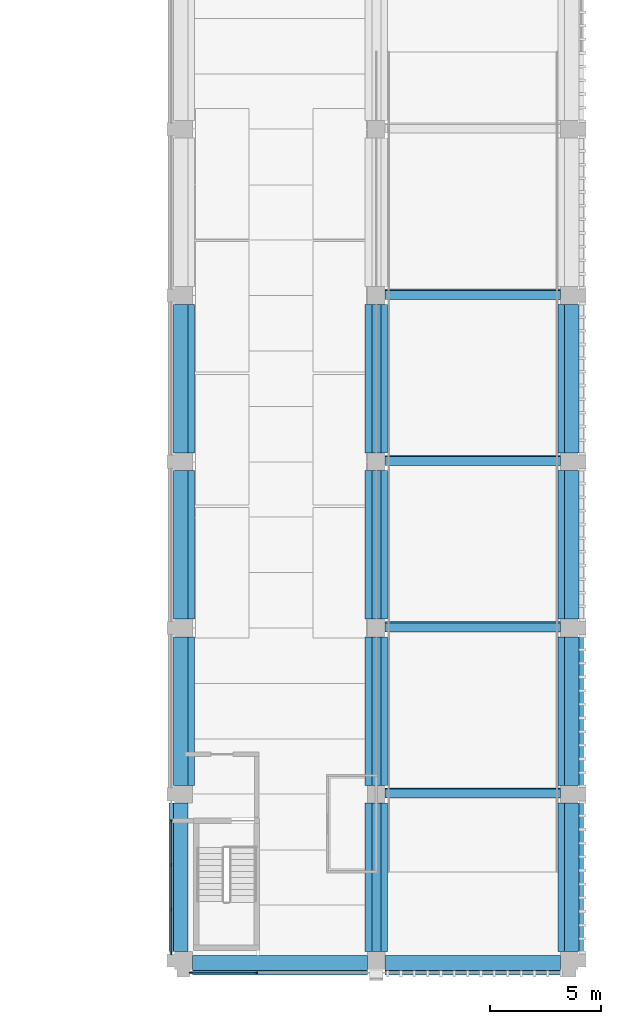
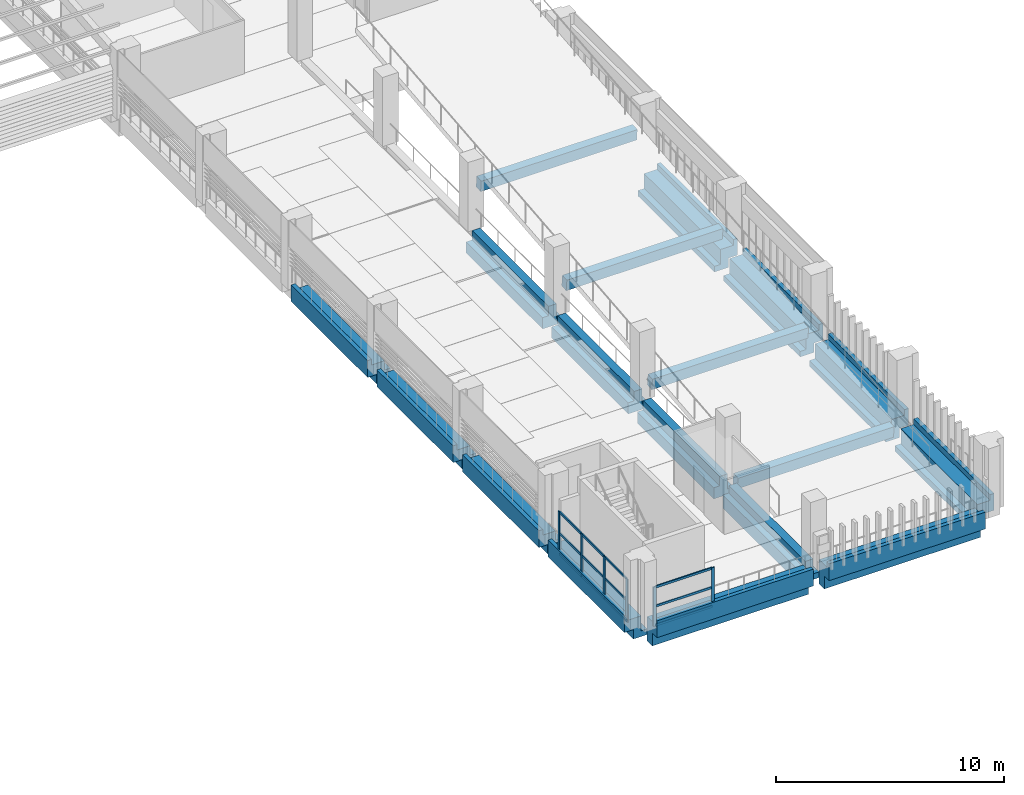
# One storey, part 13 of 52: 18 beams, 18 members, 2 elements without a shape of their own.
"""IFC4 building model written with IfcOpenShell, lengths in metres."""

from ifc_helpers import new_model, si_unit, direction, frame, origin, origin_2d, place, context, subcontext, project, spatial, polyline, rectangle, outline, extrude, material, layer, layer_set, material_profile, profile_set, type_object, element, aggregate, save


model = new_model("IFC4")

# Units and contexts
model_context = context("Model", 3, precision=1e-05, world=origin(), true_north=direction((0.0, 1.0)))
body_context = subcontext(model_context, "Body", "Model", "MODEL_VIEW")
ifc_project = project(units=[si_unit("LENGTHUNIT", "METRE"), si_unit("AREAUNIT", "SQUARE_METRE"), si_unit("VOLUMEUNIT", "CUBIC_METRE"), si_unit("PLANEANGLEUNIT", "RADIAN"), si_unit("MASSUNIT", "GRAM", prefix="KILO")], contexts=[model_context])

# Site, building, storey
site_placement = place(None, origin())
site = spatial("IfcSite", under=ifc_project, at=site_placement, CompositionType="ELEMENT")
building_placement = place(site_placement, origin())
building = spatial("IfcBuilding", under=site, at=building_placement, Name="Cour d'Honneur Mobility Palace", CompositionType="ELEMENT")
storey_placement = place(building_placement, frame((0.0, 0.0, 23.0)))
storey = spatial("IfcBuildingStorey", under=building, at=storey_placement, Name="L06", CompositionType="ELEMENT", Elevation=23.0)

# Curtain wall, members
ifc_material_1 = material(Name="Aluminium and glass", Category="aluminium")
ifc_layer = layer(ifc_material_1, 0.10009765625)
ifc_layer_set = layer_set([ifc_layer], Name="Aluminium and glass")
curtain_wall_type = type_object("IfcCurtainWallType", Name="Curtain wall run", PredefinedType="NOTDEFINED", material=ifc_layer_set)
curtain_wall_1_placement = place(storey_placement, origin())
curtain_wall_1 = element("IfcCurtainWall", 1, at=curtain_wall_1_placement, inside=storey, type_object=curtain_wall_type, Name="Curtain wall CW-145", PredefinedType="NOTDEFINED")
ifc_material_2 = material(Name="Aluminium", Category="aluminium")
ifc_material_profile_1 = material_profile(ifc_material_2, rectangle(XDim=0.06005859375, YDim=0.159912109375, at=origin_2d()), Name="Curtain wall mullion")
ifc_profile_set_1 = profile_set([ifc_material_profile_1], Name="Aluminium")
member_type_1 = type_object("IfcMemberType", Name="Curtain wall mullion", PredefinedType="MULLION", material=ifc_profile_set_1)
member_1_placement = place(storey_placement, frame((145.22998046875, -0.550048828125, 0.0), z_axis=(0.0, 0.0, 1.0), x_axis=(0.0, 1.0, 0.0)))
member_1 = element("IfcMember", 2, at=member_1_placement, type_object=member_type_1, Name="CW-145 mullion 1", PredefinedType="MULLION", context=body_context, shape_type="SweptSolid", body=[
    extrude(rectangle(XDim=0.06005859375, YDim=0.159912109375, at=origin_2d()), origin(), (0.0, 0.0, 1.0), 2.10009765625),
])
member_2_placement = place(storey_placement, frame((148.169921875, -0.550048828125, 0.0), z_axis=(0.0, 0.0, 1.0), x_axis=(0.0, 1.0, 0.0)))
member_2 = element("IfcMember", 3, at=member_2_placement, type_object=member_type_1, Name="CW-145 mullion 2", PredefinedType="MULLION", context=body_context, shape_type="SweptSolid", body=[
    extrude(rectangle(XDim=0.06005859375, YDim=0.159912109375, at=origin_2d()), origin(), (0.0, 0.0, 1.0), 2.10009765625),
])

curtain_wall_2_placement = place(storey_placement, origin())
curtain_wall_2 = element("IfcCurtainWall", 4, at=curtain_wall_2_placement, inside=storey, type_object=curtain_wall_type, Name="Curtain wall CW-146", PredefinedType="NOTDEFINED")
member_3_placement = place(storey_placement, frame((144.35009765625, 6.27001953125, 0.0), z_axis=(0.0, 0.0, 1.0), x_axis=(1.0, 0.0, 0.0)))
member_3 = element("IfcMember", 5, at=member_3_placement, type_object=member_type_1, Name="CW-146 mullion 1", PredefinedType="MULLION", context=body_context, shape_type="SweptSolid", body=[
    extrude(rectangle(XDim=0.06005859375, YDim=0.159912109375, at=origin_2d()), origin(), (0.0, 0.0, 1.0), 2.300048828125),
])
member_4_placement = place(storey_placement, frame((144.35009765625, 4.300048828125, 0.0), z_axis=(0.0, 0.0, 1.0), x_axis=(1.0, 0.0, 0.0)))
member_4 = element("IfcMember", 6, at=member_4_placement, type_object=member_type_1, Name="CW-146 mullion 2", PredefinedType="MULLION", context=body_context, shape_type="SweptSolid", body=[
    extrude(rectangle(XDim=0.06005859375, YDim=0.159912109375, at=origin_2d()), origin(), (0.0, 0.0, 1.0), 2.300048828125),
])
member_5_placement = place(storey_placement, frame((144.35009765625, 2.300048828125, 0.0), z_axis=(0.0, 0.0, 1.0), x_axis=(1.0, 0.0, 0.0)))
member_5 = element("IfcMember", 7, at=member_5_placement, type_object=member_type_1, Name="CW-146 mullion 3", PredefinedType="MULLION", context=body_context, shape_type="SweptSolid", body=[
    extrude(rectangle(XDim=0.06005859375, YDim=0.159912109375, at=origin_2d()), origin(), (0.0, 0.0, 1.0), 2.300048828125),
])
member_6_placement = place(storey_placement, frame((144.35009765625, 0.330078125, 0.0), z_axis=(0.0, 0.0, 1.0), x_axis=(1.0, 0.0, 0.0)))
member_6 = element("IfcMember", 8, at=member_6_placement, type_object=member_type_1, Name="CW-146 mullion 4", PredefinedType="MULLION", context=body_context, shape_type="SweptSolid", body=[
    extrude(rectangle(XDim=0.06005859375, YDim=0.159912109375, at=origin_2d()), origin(), (0.0, 0.0, 1.0), 2.300048828125),
])

# Member
ifc_material_3 = material(Name="Aluminium", Category="aluminium")
ifc_material_profile_2 = material_profile(ifc_material_3, rectangle(XDim=0.06005859375, YDim=0.1201171875, at=origin_2d()), Name="Curtain wall transom")
ifc_profile_set_2 = profile_set([ifc_material_profile_2], Name="Aluminium")
member_type_2 = type_object("IfcMemberType", Name="Curtain wall transom", PredefinedType="USERDEFINED", material=ifc_profile_set_2)
member_7_placement = place(storey_placement, frame((145.260009765625, -0.550048828125, 0.030029296875), z_axis=(1.0, 0.0, 0.0), x_axis=(0.0, 1.0, 0.0)))
member_7 = element("IfcMember", 9, at=member_7_placement, type_object=member_type_2, Name="CW-145 transom 1.1", ObjectType="TRANSOM", PredefinedType="USERDEFINED", context=body_context, shape_type="SweptSolid", body=[
    extrude(rectangle(XDim=0.06005859375, YDim=0.1201171875, at=origin_2d()), origin(), (0.0, 0.0, 1.0), 2.8798828125),
])

member_8_placement = place(storey_placement, frame((145.260009765625, -0.550048828125, 1.050048828125), z_axis=(1.0, 0.0, 0.0), x_axis=(0.0, 1.0, 0.0)))
member_8 = element("IfcMember", 10, at=member_8_placement, type_object=member_type_2, Name="CW-145 transom 1.2", ObjectType="TRANSOM", PredefinedType="USERDEFINED", context=body_context, shape_type="SweptSolid", body=[
    extrude(rectangle(XDim=0.06005859375, YDim=0.1201171875, at=origin_2d()), origin(), (0.0, 0.0, 1.0), 2.8798828125),
])

member_9_placement = place(storey_placement, frame((145.260009765625, -0.550048828125, 2.070068359375), z_axis=(1.0, 0.0, 0.0), x_axis=(0.0, 1.0, 0.0)))
member_9 = element("IfcMember", 11, at=member_9_placement, type_object=member_type_2, Name="CW-145 transom 1.3", ObjectType="TRANSOM", PredefinedType="USERDEFINED", context=body_context, shape_type="SweptSolid", body=[
    extrude(rectangle(XDim=0.06005859375, YDim=0.1201171875, at=origin_2d()), origin(), (0.0, 0.0, 1.0), 2.8798828125),
])

aggregate(curtain_wall_1, [member_1, member_2, member_7, member_8, member_9])

member_10_placement = place(storey_placement, frame((144.35009765625, 6.239990234375, 0.030029296875), z_axis=(0.0, -1.0, 0.0), x_axis=(1.0, 0.0, 0.0)))
member_10 = element("IfcMember", 12, at=member_10_placement, type_object=member_type_2, Name="CW-146 transom 1.1", ObjectType="TRANSOM", PredefinedType="USERDEFINED", context=body_context, shape_type="SweptSolid", body=[
    extrude(rectangle(XDim=0.06005859375, YDim=0.1201171875, at=origin_2d()), origin(), (0.0, 0.0, 1.0), 1.909912109375),
])

member_11_placement = place(storey_placement, frame((144.35009765625, 6.239990234375, 1.14990234375), z_axis=(0.0, -1.0, 0.0), x_axis=(1.0, 0.0, 0.0)))
member_11 = element("IfcMember", 13, at=member_11_placement, type_object=member_type_2, Name="CW-146 transom 1.2", ObjectType="TRANSOM", PredefinedType="USERDEFINED", context=body_context, shape_type="SweptSolid", body=[
    extrude(rectangle(XDim=0.06005859375, YDim=0.1201171875, at=origin_2d()), origin(), (0.0, 0.0, 1.0), 1.909912109375),
])

member_12_placement = place(storey_placement, frame((144.35009765625, 6.239990234375, 2.27001953125), z_axis=(0.0, -1.0, 0.0), x_axis=(1.0, 0.0, 0.0)))
member_12 = element("IfcMember", 14, at=member_12_placement, type_object=member_type_2, Name="CW-146 transom 1.3", ObjectType="TRANSOM", PredefinedType="USERDEFINED", context=body_context, shape_type="SweptSolid", body=[
    extrude(rectangle(XDim=0.06005859375, YDim=0.1201171875, at=origin_2d()), origin(), (0.0, 0.0, 1.0), 1.909912109375),
])

member_13_placement = place(storey_placement, frame((144.35009765625, 4.27001953125, 0.030029296875), z_axis=(0.0, -1.0, 0.0), x_axis=(1.0, 0.0, 0.0)))
member_13 = element("IfcMember", 15, at=member_13_placement, type_object=member_type_2, Name="CW-146 transom 2.1", ObjectType="TRANSOM", PredefinedType="USERDEFINED", context=body_context, shape_type="SweptSolid", body=[
    extrude(rectangle(XDim=0.06005859375, YDim=0.1201171875, at=origin_2d()), origin(), (0.0, 0.0, 1.0), 1.93994140625),
])

member_14_placement = place(storey_placement, frame((144.35009765625, 4.27001953125, 1.14990234375), z_axis=(0.0, -1.0, 0.0), x_axis=(1.0, 0.0, 0.0)))
member_14 = element("IfcMember", 16, at=member_14_placement, type_object=member_type_2, Name="CW-146 transom 2.2", ObjectType="TRANSOM", PredefinedType="USERDEFINED", context=body_context, shape_type="SweptSolid", body=[
    extrude(rectangle(XDim=0.06005859375, YDim=0.1201171875, at=origin_2d()), origin(), (0.0, 0.0, 1.0), 1.93994140625),
])

member_15_placement = place(storey_placement, frame((144.35009765625, 4.27001953125, 2.27001953125), z_axis=(0.0, -1.0, 0.0), x_axis=(1.0, 0.0, 0.0)))
member_15 = element("IfcMember", 17, at=member_15_placement, type_object=member_type_2, Name="CW-146 transom 2.3", ObjectType="TRANSOM", PredefinedType="USERDEFINED", context=body_context, shape_type="SweptSolid", body=[
    extrude(rectangle(XDim=0.06005859375, YDim=0.1201171875, at=origin_2d()), origin(), (0.0, 0.0, 1.0), 1.93994140625),
])

member_16_placement = place(storey_placement, frame((144.35009765625, 2.27001953125, 0.030029296875), z_axis=(0.0, -1.0, 0.0), x_axis=(1.0, 0.0, 0.0)))
member_16 = element("IfcMember", 18, at=member_16_placement, type_object=member_type_2, Name="CW-146 transom 3.1", ObjectType="TRANSOM", PredefinedType="USERDEFINED", context=body_context, shape_type="SweptSolid", body=[
    extrude(rectangle(XDim=0.06005859375, YDim=0.1201171875, at=origin_2d()), origin(), (0.0, 0.0, 1.0), 1.909912109375),
])

member_17_placement = place(storey_placement, frame((144.35009765625, 2.27001953125, 1.14990234375), z_axis=(0.0, -1.0, 0.0), x_axis=(1.0, 0.0, 0.0)))
member_17 = element("IfcMember", 19, at=member_17_placement, type_object=member_type_2, Name="CW-146 transom 3.2", ObjectType="TRANSOM", PredefinedType="USERDEFINED", context=body_context, shape_type="SweptSolid", body=[
    extrude(rectangle(XDim=0.06005859375, YDim=0.1201171875, at=origin_2d()), origin(), (0.0, 0.0, 1.0), 1.909912109375),
])

member_18_placement = place(storey_placement, frame((144.35009765625, 2.27001953125, 2.27001953125), z_axis=(0.0, -1.0, 0.0), x_axis=(1.0, 0.0, 0.0)))
member_18 = element("IfcMember", 20, at=member_18_placement, type_object=member_type_2, Name="CW-146 transom 3.3", ObjectType="TRANSOM", PredefinedType="USERDEFINED", context=body_context, shape_type="SweptSolid", body=[
    extrude(rectangle(XDim=0.06005859375, YDim=0.1201171875, at=origin_2d()), origin(), (0.0, 0.0, 1.0), 1.909912109375),
])

aggregate(curtain_wall_2, [member_3, member_4, member_5, member_6, member_10, member_11, member_12, member_13, member_14, member_15, member_16, member_17, member_18])

# Beams
ifc_material_4 = material(Name="Concrete C45", Category="concrete")
ifc_material_profile_3 = material_profile(ifc_material_4, outline(polyline([(0.22509765625, -1.300048828125), (0.22509765625, 0.0), (-0.22509765625, 0.0), (-0.449951171875, 0.0), (-0.449951171875, 0.300048828125), (-0.64990234375, 0.300048828125), (-0.64990234375, -0.60009765625), (-0.22509765625, -0.60009765625), (-0.22509765625, -1.300048828125), (0.22509765625, -1.300048828125)])), Name="Edge Spandrel Beam 450x1300 no ledge facade right")
ifc_profile_set_3 = profile_set([ifc_material_profile_3], Name="Concrete C45")
beam_type_1 = type_object("IfcBeamType", Name="Edge Spandrel Beam 450x1300 no ledge facade right", PredefinedType="SPANDREL", material=ifc_profile_set_3)
for number, where, z_axis, x_axis, name in (
    (21, (145.300048828125, 0.0, 0.0), (1.0, 0.0, 0.0), (0.0, 1.0, 0.0), "Precast beam B1 19-19A L06"),
    (22, (154.0, 0.0, 0.0), (1.0, 0.0, 0.0), (0.0, 1.0, 0.0), "Precast beam B1 19A-20 L06"),
):
    element("IfcBeam", number, at=place(storey_placement, frame(where, z_axis=z_axis, x_axis=x_axis)), inside=storey, type_object=beam_type_1, Name=name, PredefinedType="SPANDREL", context=body_context, shape_type="SweptSolid", body=[
        extrude(outline(polyline([(0.22509765625, -1.300048828125), (0.22509765625, 0.0), (-0.22509765625, 0.0), (-0.449951171875, 0.0), (-0.449951171875, 0.300048828125), (-0.64990234375, 0.300048828125), (-0.64990234375, -0.60009765625), (-0.22509765625, -0.60009765625), (-0.22509765625, -1.300048828125), (0.22509765625, -1.300048828125)])), origin(), (0.0, 0.0, 1.0), 7.89990234375),
    ])
ifc_material_5 = material(Name="Concrete C45", Category="concrete")
ifc_material_profile_4 = material_profile(ifc_material_5, outline(polyline([(0.5, -1.10009765625), (0.5, -0.5), (0.199951171875, -0.5), (0.199951171875, 0.0), (-0.199951171875, 0.0), (-0.199951171875, -0.800048828125), (-0.5, -0.800048828125), (-0.5, -1.10009765625), (0.5, -1.10009765625)])), Name="Inverted Tee Beam 400x1100 ledges 600/300 plain")
ifc_profile_set_4 = profile_set([ifc_material_profile_4], Name="Concrete C45")
beam_type_2 = type_object("IfcBeamType", Name="Inverted Tee Beam 400x1100 ledges 600/300 plain", PredefinedType="T_BEAM", material=ifc_profile_set_4)
for number, where, z_axis, x_axis, name in (
    (23, (153.60009765625, 7.89990234375, 0.0), (0.0, 1.0, 0.0), (-1.0, 0.0, 0.0), "Precast beam B19 B-C L06"),
    (24, (153.60009765625, 15.39990234375, 0.0), (0.0, 1.0, 0.0), (-1.0, 0.0, 0.0), "Precast beam B19 C-D L06"),
    (25, (153.60009765625, 22.89990234375, 0.0), (0.0, 1.0, 0.0), (-1.0, 0.0, 0.0), "Precast beam B19 D-E L06"),
):
    element("IfcBeam", number, at=place(storey_placement, frame(where, z_axis=z_axis, x_axis=x_axis)), inside=storey, type_object=beam_type_2, Name=name, PredefinedType="T_BEAM", context=body_context, shape_type="SweptSolid", body=[
        extrude(outline(polyline([(0.5, -1.10009765625), (0.5, -0.5), (0.199951171875, -0.5), (0.199951171875, 0.0), (-0.199951171875, 0.0), (-0.199951171875, -0.800048828125), (-0.5, -0.800048828125), (-0.5, -1.10009765625), (0.5, -1.10009765625)])), origin(), (0.0, 0.0, 1.0), 6.7001953125),
    ])
ifc_material_6 = material(Name="Concrete C45", Category="concrete")
ifc_material_profile_5 = material_profile(ifc_material_6, outline(polyline([(0.5, -1.10009765625), (0.5, -0.39990234375), (0.199951171875, -0.39990234375), (0.199951171875, 0.0), (-0.199951171875, 0.0), (-0.199951171875, -0.800048828125), (-0.5, -0.800048828125), (-0.5, -1.10009765625), (0.5, -1.10009765625)])), Name="Inverted Tee Beam 400x1100 ledges 700/300 plain")
ifc_profile_set_5 = profile_set([ifc_material_profile_5], Name="Concrete C45")
beam_type_3 = type_object("IfcBeamType", Name="Inverted Tee Beam 400x1100 ledges 700/300 plain", PredefinedType="T_BEAM", material=ifc_profile_set_5)
beam_1_placement = place(storey_placement, frame((153.60009765625, 0.39990234375, 0.0), z_axis=(0.0, 1.0, 0.0), x_axis=(-1.0, 0.0, 0.0)))
element("IfcBeam", 26, at=beam_1_placement, inside=storey, type_object=beam_type_3, Name="Precast beam B18 A-B L06", PredefinedType="T_BEAM", context=body_context, shape_type="SweptSolid", body=[
    extrude(outline(polyline([(0.5, -1.10009765625), (0.5, -0.39990234375), (0.199951171875, -0.39990234375), (0.199951171875, 0.0), (-0.199951171875, 0.0), (-0.199951171875, -0.800048828125), (-0.5, -0.800048828125), (-0.5, -1.10009765625), (0.5, -1.10009765625)])), origin(), (0.0, 0.0, 1.0), 6.7001953125),
])
ifc_material_7 = material(Name="Concrete C45", Category="concrete")
ifc_material_profile_6 = material_profile(ifc_material_7, outline(polyline([(0.5, -1.10009765625), (0.5, -0.800048828125), (0.199951171875, -0.800048828125), (0.199951171875, 0.0), (-0.199951171875, 0.0), (-0.449951171875, 0.0), (-0.449951171875, 0.300048828125), (-0.64990234375, 0.300048828125), (-0.64990234375, -0.60009765625), (-0.199951171875, -0.60009765625), (-0.199951171875, -1.10009765625), (0.5, -1.10009765625)])), Name="Ledger Beam 400x1100 ledge left 300 facade right")
ifc_profile_set_6 = profile_set([ifc_material_profile_6], Name="Concrete C45")
beam_type_4 = type_object("IfcBeamType", Name="Ledger Beam 400x1100 ledge left 300 facade right", PredefinedType="BEAM", material=ifc_profile_set_6)
for number, where, z_axis, x_axis, name in (
    (27, (162.300048828125, 0.39990234375, 0.0), (0.0, 1.0, 0.0), (-1.0, 0.0, 0.0), "Precast beam B3 A-B L06"),
    (28, (162.300048828125, 7.89990234375, 0.0), (0.0, 1.0, 0.0), (-1.0, 0.0, 0.0), "Precast beam B3 B-C L06"),
    (29, (162.300048828125, 15.39990234375, 0.0), (0.0, 1.0, 0.0), (-1.0, 0.0, 0.0), "Precast beam B3 C-D L06"),
    (30, (162.300048828125, 22.89990234375, 0.0), (0.0, 1.0, 0.0), (-1.0, 0.0, 0.0), "Precast beam B3 D-E L06"),
):
    element("IfcBeam", number, at=place(storey_placement, frame(where, z_axis=z_axis, x_axis=x_axis)), inside=storey, type_object=beam_type_4, Name=name, PredefinedType="BEAM", context=body_context, shape_type="SweptSolid", body=[
        extrude(outline(polyline([(0.5, -1.10009765625), (0.5, -0.800048828125), (0.199951171875, -0.800048828125), (0.199951171875, 0.0), (-0.199951171875, 0.0), (-0.449951171875, 0.0), (-0.449951171875, 0.300048828125), (-0.64990234375, 0.300048828125), (-0.64990234375, -0.60009765625), (-0.199951171875, -0.60009765625), (-0.199951171875, -1.10009765625), (0.5, -1.10009765625)])), origin(), (0.0, 0.0, 1.0), 6.7001953125),
    ])
ifc_material_8 = material(Name="Concrete C45", Category="concrete")
ifc_material_profile_7 = material_profile(ifc_material_8, outline(polyline([(0.199951171875, -1.10009765625), (0.199951171875, -0.60009765625), (0.64990234375, -0.60009765625), (0.64990234375, 0.300048828125), (0.449951171875, 0.300048828125), (0.449951171875, 0.0), (0.199951171875, 0.0), (-0.199951171875, 0.0), (-0.199951171875, -0.800048828125), (-0.5, -0.800048828125), (-0.5, -1.10009765625), (0.199951171875, -1.10009765625)])), Name="Ledger Beam 400x1100 ledge right 300 facade left")
ifc_profile_set_7 = profile_set([ifc_material_profile_7], Name="Concrete C45")
beam_type_5 = type_object("IfcBeamType", Name="Ledger Beam 400x1100 ledge right 300 facade left", PredefinedType="BEAM", material=ifc_profile_set_7)
beam_2_placement = place(storey_placement, frame((144.89990234375, 0.39990234375, 0.0), z_axis=(0.0, 1.0, 0.0), x_axis=(-1.0, 0.0, 0.0)))
element("IfcBeam", 31, at=beam_2_placement, inside=storey, type_object=beam_type_5, Name="Precast beam B6 A-B L06", PredefinedType="BEAM", context=body_context, shape_type="SweptSolid", body=[
    extrude(outline(polyline([(0.199951171875, -1.10009765625), (0.199951171875, -0.60009765625), (0.64990234375, -0.60009765625), (0.64990234375, 0.300048828125), (0.449951171875, 0.300048828125), (0.449951171875, 0.0), (0.199951171875, 0.0), (-0.199951171875, 0.0), (-0.199951171875, -0.800048828125), (-0.5, -0.800048828125), (-0.5, -1.10009765625), (0.199951171875, -1.10009765625)])), origin(), (0.0, 0.0, 1.0), 6.7001953125),
])
ifc_material_9 = material(Name="Concrete C45", Category="concrete")
ifc_material_profile_8 = material_profile(ifc_material_9, outline(polyline([(0.199951171875, -1.10009765625), (0.199951171875, -0.60009765625), (0.64990234375, -0.60009765625), (0.64990234375, 0.300048828125), (0.449951171875, 0.300048828125), (0.449951171875, 0.0), (0.199951171875, 0.0), (-0.199951171875, 0.0), (-0.199951171875, -0.5), (-0.5, -0.5), (-0.5, -1.10009765625), (0.199951171875, -1.10009765625)])), Name="Ledger Beam 400x1100 ledge right 600 facade left")
ifc_profile_set_8 = profile_set([ifc_material_profile_8], Name="Concrete C45")
beam_type_6 = type_object("IfcBeamType", Name="Ledger Beam 400x1100 ledge right 600 facade left", PredefinedType="BEAM", material=ifc_profile_set_8)
for number, where, z_axis, x_axis, name in (
    (32, (144.89990234375, 7.89990234375, 0.0), (0.0, 1.0, 0.0), (-1.0, 0.0, 0.0), "Precast beam B15 B-C L06"),
    (33, (144.89990234375, 15.39990234375, 0.0), (0.0, 1.0, 0.0), (-1.0, 0.0, 0.0), "Precast beam B15 C-D L06"),
    (34, (144.89990234375, 22.89990234375, 0.0), (0.0, 1.0, 0.0), (-1.0, 0.0, 0.0), "Precast beam B15 D-E L06"),
):
    element("IfcBeam", number, at=place(storey_placement, frame(where, z_axis=z_axis, x_axis=x_axis)), inside=storey, type_object=beam_type_6, Name=name, PredefinedType="BEAM", context=body_context, shape_type="SweptSolid", body=[
        extrude(outline(polyline([(0.199951171875, -1.10009765625), (0.199951171875, -0.60009765625), (0.64990234375, -0.60009765625), (0.64990234375, 0.300048828125), (0.449951171875, 0.300048828125), (0.449951171875, 0.0), (0.199951171875, 0.0), (-0.199951171875, 0.0), (-0.199951171875, -0.5), (-0.5, -0.5), (-0.5, -1.10009765625), (0.199951171875, -1.10009765625)])), origin(), (0.0, 0.0, 1.0), 6.7001953125),
    ])
ifc_material_10 = material(Name="Concrete C40", Category="concrete")
ifc_material_profile_9 = material_profile(ifc_material_10, rectangle(XDim=0.39990234375, YDim=0.60009765625, at=origin_2d()), Name="Ramp cross beam 400x600")
ifc_profile_set_9 = profile_set([ifc_material_profile_9], Name="Concrete C40")
beam_type_7 = type_object("IfcBeamType", Name="Ramp cross beam 400x600", PredefinedType="BEAM", material=ifc_profile_set_9)
for number, where, z_axis, x_axis, name in (
    (35, (161.89990234375, 7.559814453125, -0.2470703125), (-1.0, 0.0, 0.0), (0.0, -0.995037190449, -0.099503716633), "Ramp cross beam SE.R6-1"),
    (36, (161.89990234375, 15.059814453125, 0.5029296875), (-1.0, 0.0, 0.0), (0.0, -0.995037190449, -0.099503716633), "Ramp cross beam SE.R6-2"),
    (37, (161.89990234375, 22.559814453125, 1.2529296875), (-1.0, 0.0, 0.0), (0.0, -0.995037190449, -0.099503716633), "Ramp cross beam SE.R6-3"),
    (38, (161.89990234375, 30.059814453125, 2.0029296875), (-1.0, 0.0, 0.0), (0.0, -0.995037190449, -0.099503716633), "Ramp cross beam SE.R6-4"),
):
    element("IfcBeam", number, at=place(storey_placement, frame(where, z_axis=z_axis, x_axis=x_axis)), inside=storey, type_object=beam_type_7, Name=name, PredefinedType="BEAM", context=body_context, shape_type="SweptSolid", body=[
        extrude(rectangle(XDim=0.39990234375, YDim=0.60009765625, at=origin_2d()), origin(), (0.0, 0.0, 1.0), 7.89990234375),
    ])

save(model, "model.ifc")
